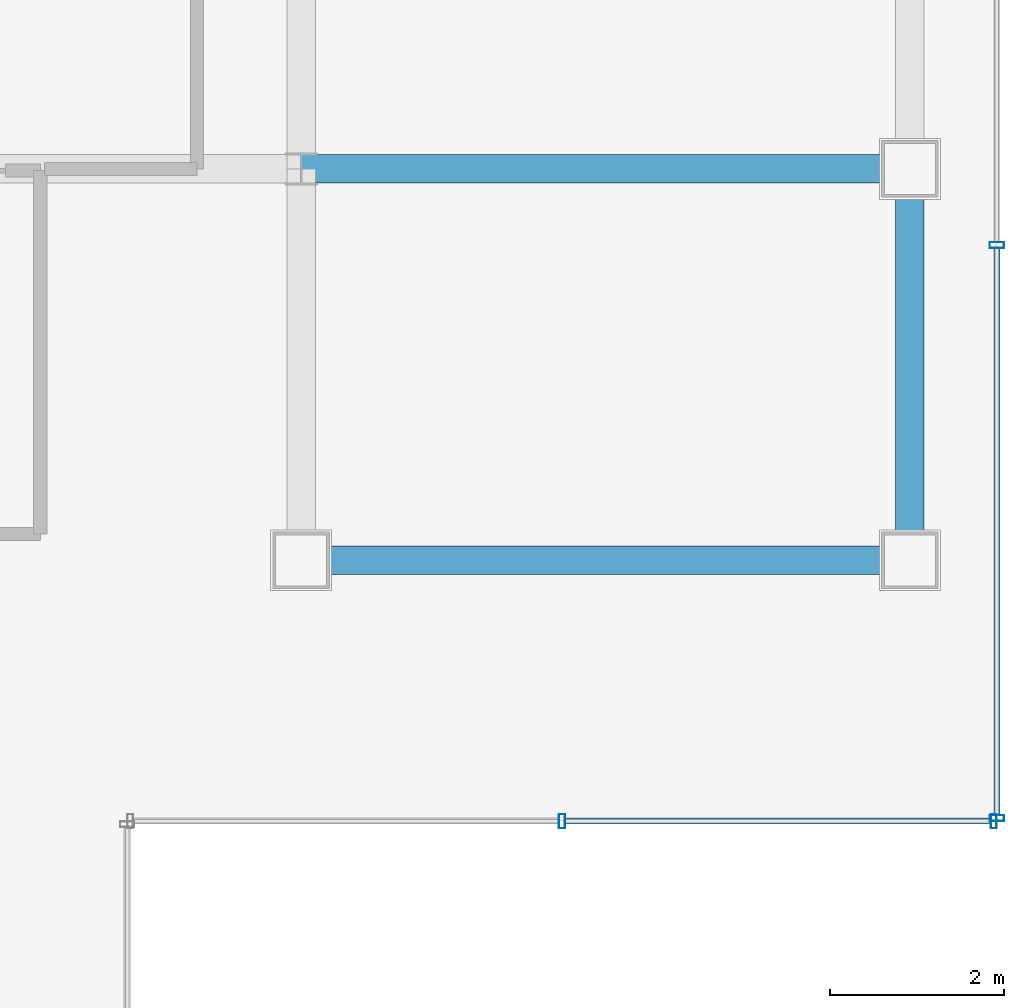
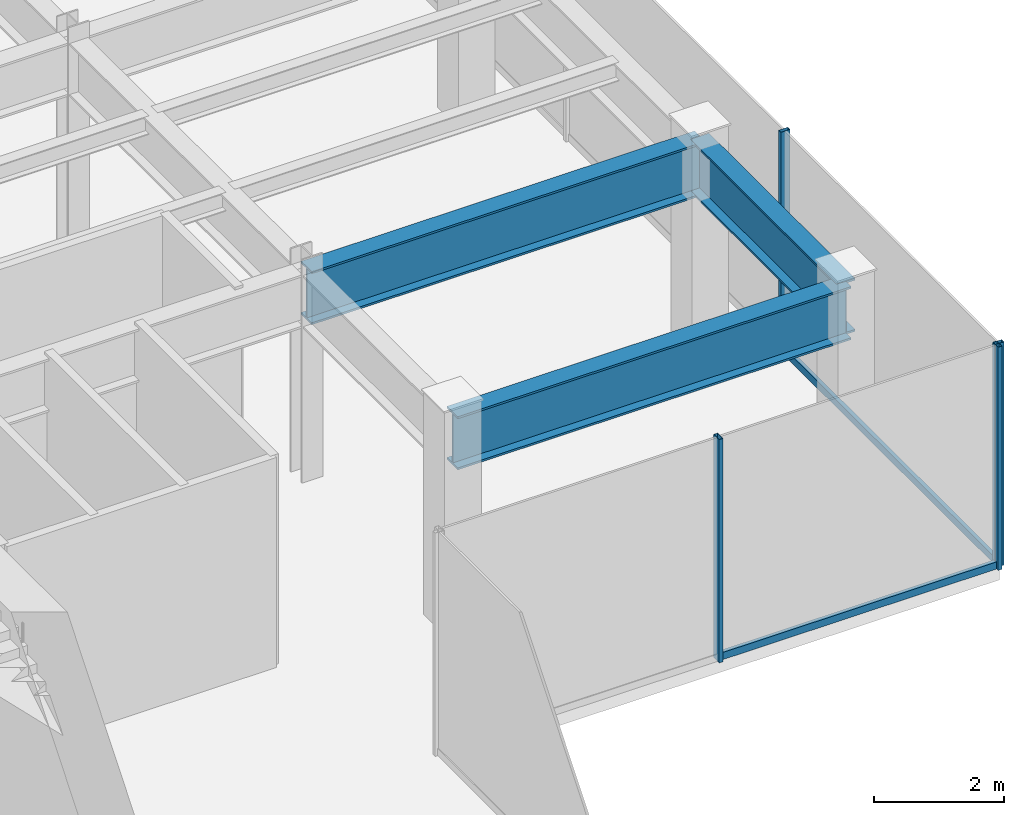
# One storey, part 6 of 26: 6 members, 3 beams, 2 elements without a shape of their own.
"""IFC4 building model written with IfcOpenShell, lengths in metres."""

import ifcopenshell
import ifcopenshell.guid

model = None  # the IFC model being written
_history = None  # IfcOwnerHistory: only IFC2X3 demands one
_inside = {}  # id of a spatial element -> (the spatial element, [elements in it])
_under = {}  # id of a project, library or spatial element -> (it, [spatial elements below it])
_declared = {}  # id of a project -> (the project, [libraries it declares])
_typed = {}  # id of a type object -> (the type object, [elements of that type])
_made_of = {}  # id of a material, layer set ... -> (it, [elements and type objects made of it])


def new_model(schema):
    """Start an empty IFC model of exactly this schema.

    Asked for "IFC4X3", IfcOpenShell would pick the latest addendum, in which some entities
    have other attributes; the version numbers below select the first issue.
    IFC2X3 requires an IfcOwnerHistory on every rooted entity: one is made here for all.
    """
    global model, _history
    if schema == "IFC4X3":
        model = ifcopenshell.file(schema_version=(4, 3, 0, 0))
    else:
        model = ifcopenshell.file(schema=schema)
    _inside.clear()
    _under.clear()
    _declared.clear()
    _typed.clear()
    _made_of.clear()
    _history = None
    if model.schema == "IFC2X3":
        org = make("IfcOrganization", Name="unknown")
        user = make(
            "IfcPersonAndOrganization",
            ThePerson=make("IfcPerson", FamilyName="unknown"),
            TheOrganization=org,
        )
        app = make(
            "IfcApplication",
            ApplicationDeveloper=org,
            Version="unknown",
            ApplicationFullName="unknown",
            ApplicationIdentifier="unknown",
        )
        _history = make(
            "IfcOwnerHistory",
            OwningUser=user,
            OwningApplication=app,
            ChangeAction="ADDED",
            CreationDate=0,
        )
    return model


def make(cls, **values):
    """One entity of the class cls with the attributes given. An attribute that is None is left unset."""
    return model.create_entity(
        cls, **{name: value for name, value in values.items() if value is not None}
    )


def rooted(cls, **values):
    """An entity with a GlobalId (a new one), such as an element, a storey or a relation."""
    return make(cls, GlobalId=ifcopenshell.guid.new(), OwnerHistory=_history, **values)


def si_unit(unit_type, name, prefix=None):
    """IfcSIUnit, for example si_unit("LENGTHUNIT", "METRE", prefix="MILLI")."""
    return make("IfcSIUnit", UnitType=unit_type, Prefix=prefix, Name=name)


def derived_unit(unit_type, elements):
    """IfcDerivedUnit: a product of units, each with its exponent."""
    return make(
        "IfcDerivedUnit",
        Elements=[
            make("IfcDerivedUnitElement", Unit=unit, Exponent=power)
            for unit, power in elements
        ],
        UnitType=unit_type,
    )


def assignment(units):
    """IfcUnitAssignment: the units of a project."""
    return None if units is None else make("IfcUnitAssignment", Units=units)


def point(xyz):
    """IfcCartesianPoint."""
    return None if xyz is None else make("IfcCartesianPoint", Coordinates=xyz)


def direction(xyz):
    """IfcDirection."""
    return None if xyz is None else make("IfcDirection", DirectionRatios=xyz)


def frame(location, z_axis=None, x_axis=None):
    """IfcAxis2Placement3D, a coordinate frame: its origin and axes. An axis left out is left unset."""
    return make(
        "IfcAxis2Placement3D",
        Location=point(location),
        Axis=direction(z_axis),
        RefDirection=direction(x_axis),
    )


def frame_2d(location, x_axis=None):
    """IfcAxis2Placement2D, a coordinate frame in the plane: its origin and x axis."""
    return make(
        "IfcAxis2Placement2D", Location=point(location), RefDirection=direction(x_axis)
    )


def origin():
    """The frame at (0, 0, 0) with its axes left unset."""
    return frame((0.0, 0.0, 0.0))


def origin_2d():
    """The frame at (0, 0) in the plane with its x axis left unset."""
    return frame_2d((0.0, 0.0))


def place(relative_to, where):
    """IfcLocalPlacement: puts the frame where relative to a parent placement (None: the world)."""
    return make(
        "IfcLocalPlacement", PlacementRelTo=relative_to, RelativePlacement=where
    )


def context(
    kind, dimensions, precision=None, world=None, true_north=None, identifier=None
):
    """IfcGeometricRepresentationContext, for example the 3D "Model" context."""
    return make(
        "IfcGeometricRepresentationContext",
        ContextIdentifier=identifier,
        ContextType=kind,
        CoordinateSpaceDimension=dimensions,
        Precision=precision,
        WorldCoordinateSystem=world,
        TrueNorth=true_north,
    )


def subcontext(parent, identifier, kind, view, scale=None):
    """IfcGeometricRepresentationSubContext, for example "Body" below "Model"."""
    return make(
        "IfcGeometricRepresentationSubContext",
        ContextIdentifier=identifier,
        ContextType=kind,
        ParentContext=parent,
        TargetScale=scale,
        TargetView=view,
    )


def project(units=None, contexts=None):
    """IfcProject with its units and contexts."""
    return rooted(
        "IfcProject",
        Name="project",
        RepresentationContexts=contexts,
        UnitsInContext=assignment(units),
    )


def spatial(cls, under=None, at=None, **own):
    """A site, building, storey or space (cls), placed at a placement, below another one or the project."""
    s = rooted(cls, ObjectPlacement=at, **own)
    if under is not None:
        _under.setdefault(under.id(), (under, []))[1].append(s)
    return s


def profile(cls, at=None, kind="AREA", **sizes):
    """A parametric profile (cls). Its sizes go by their IFC names, for example OverallWidth=200.0."""
    return make(cls, ProfileType=kind, Position=at, **sizes)


def hollow_rectangle(**sizes):
    """IfcRectangleHollowProfileDef."""
    return profile("IfcRectangleHollowProfileDef", **sizes)


def i_section(**sizes):
    """IfcIShapeProfileDef."""
    return profile("IfcIShapeProfileDef", **sizes)


def extrude(swept, where, along, depth):
    """IfcExtrudedAreaSolid: the profile swept, set in the frame where, extruded along a direction by depth."""
    return make(
        "IfcExtrudedAreaSolid",
        SweptArea=swept,
        Position=where,
        ExtrudedDirection=direction(along),
        Depth=depth,
    )


def shape(context_of_items, identifier, shape_type, items):
    """IfcShapeRepresentation: the items that make up one representation, for example the "Body"."""
    return make(
        "IfcShapeRepresentation",
        ContextOfItems=context_of_items,
        RepresentationIdentifier=identifier,
        RepresentationType=shape_type,
        Items=items,
    )


def source(mapping_origin, context_of_items, identifier, shape_type, items):
    """IfcRepresentationMap: a shape defined once, which mapped items show again and again."""
    return make(
        "IfcRepresentationMap",
        MappingOrigin=mapping_origin,
        MappedRepresentation=shape(context_of_items, identifier, shape_type, items),
    )


def transform(
    local_origin,
    x_axis=None,
    y_axis=None,
    z_axis=None,
    scale=None,
    scale2=None,
    scale3=None,
    uniform=True,
):
    """IfcCartesianTransformationOperator3D, or its non-uniform kind. x_axis, y_axis, z_axis: its Axis1, 2, 3."""
    if uniform:
        return make(
            "IfcCartesianTransformationOperator3D",
            Axis1=direction(x_axis),
            Axis2=direction(y_axis),
            LocalOrigin=point(local_origin),
            Scale=scale,
            Axis3=direction(z_axis),
        )
    return make(
        "IfcCartesianTransformationOperator3DnonUniform",
        Axis1=direction(x_axis),
        Axis2=direction(y_axis),
        LocalOrigin=point(local_origin),
        Scale=scale,
        Axis3=direction(z_axis),
        Scale2=scale2,
        Scale3=scale3,
    )


def mapped(mapping_source, mapping_target):
    """IfcMappedItem: shows the shape of a source again, moved by a transform."""
    return make(
        "IfcMappedItem", MappingSource=mapping_source, MappingTarget=mapping_target
    )


def material(Name=None, Category=None):
    """IfcMaterial."""
    return make("IfcMaterial", Name=Name, Category=Category)


def material_profile(
    of_material, cross_section, Name=None, Category=None, Priority=None
):
    """IfcMaterialProfile: a cross section and its material."""
    return make(
        "IfcMaterialProfile",
        Name=Name,
        Material=of_material,
        Profile=cross_section,
        Priority=Priority,
        Category=Category,
    )


def profile_set(profiles, Name=None, composite=None):
    """IfcMaterialProfileSet."""
    return make(
        "IfcMaterialProfileSet",
        Name=Name,
        MaterialProfiles=profiles,
        CompositeProfile=composite,
    )


def made_of(thing, what):
    """Note that an element or type object is made of a material, layer set ...; save() writes the relation."""
    if what is not None:
        _made_of.setdefault(what.id(), (what, []))[1].append(thing)
    return thing


def type_object(cls, material=None, **own):
    """A type object (cls), such as IfcWallType, which elements share."""
    return made_of(rooted(cls, **own), material)


def element(
    cls,
    number,
    at=None,
    inside=None,
    cuts=None,
    type_object=None,
    material=None,
    context=None,
    identifier="Body",
    shape_type=None,
    held_by="IfcProductDefinitionShape",
    body=None,
    shapes=None,
    **own,
):
    """One element of the class cls, such as IfcWall. Its Tag is "e" and its number.

    at: its placement. inside: the storey or other place that contains it. cuts: it is an
    opening in that element (IfcRelVoidsElement). A single representation is given by context,
    identifier, shape_type and body (its items); several are given by shapes. held_by: the class
    of the entity that holds the representations. save() writes the other relations.
    """
    e = rooted(cls, Tag="e%d" % number, ObjectPlacement=at, **own)
    if body is not None:
        shapes = [shape(context, identifier, shape_type, body)]
    if shapes is not None:
        e.Representation = make(held_by, Representations=shapes)
    if inside is not None:
        _inside.setdefault(inside.id(), (inside, []))[1].append(e)
    if cuts is not None:
        rooted(
            "IfcRelVoidsElement", RelatingBuildingElement=cuts, RelatedOpeningElement=e
        )
    if type_object is not None:
        _typed.setdefault(type_object.id(), (type_object, []))[1].append(e)
    return made_of(e, material)


def aggregate(whole, parts):
    """IfcRelAggregates: a whole, such as a stair, and the parts it consists of."""
    return rooted("IfcRelAggregates", RelatingObject=whole, RelatedObjects=parts)


def save(model, path):
    """Write the relations noted so far, then the file.

    IfcRelAggregates (storeys below a building ...), IfcRelContainedInSpatialStructure (elements
    in a storey), IfcRelDefinesByType, IfcRelAssociatesMaterial and IfcRelDeclares: one each for
    every whole, place, type object, material and project.
    """
    for whole, parts in _under.values():
        aggregate(whole, parts)
    for where, things in _inside.values():
        rooted(
            "IfcRelContainedInSpatialStructure",
            RelatedElements=things,
            RelatingStructure=where,
        )
    for kind, things in _typed.values():
        rooted("IfcRelDefinesByType", RelatedObjects=things, RelatingType=kind)
    for what, things in _made_of.values():
        rooted("IfcRelAssociatesMaterial", RelatedObjects=things, RelatingMaterial=what)
    for by, libraries in _declared.values():
        rooted("IfcRelDeclares", RelatingContext=by, RelatedDefinitions=libraries)
    model.write(path)


model = new_model("IFC4")

# Units and contexts
model_context = context("Model", 3, precision=1e-05, world=origin(), true_north=direction((0.0, 1.0)))
body_context = subcontext(model_context, "Body", "Model", "MODEL_VIEW")
ifc_project = project(units=[si_unit("LENGTHUNIT", "METRE"), si_unit("AREAUNIT", "SQUARE_METRE"), si_unit("VOLUMEUNIT", "CUBIC_METRE"), si_unit("PLANEANGLEUNIT", "RADIAN"), si_unit("MASSUNIT", "GRAM", prefix="KILO"), derived_unit("THERMALTRANSMITTANCEUNIT", [(si_unit("POWERUNIT", "WATT"), 1), (si_unit("LENGTHUNIT", "METRE"), -2), (si_unit("THERMODYNAMICTEMPERATUREUNIT", "KELVIN"), -1)])], contexts=[model_context])

# Site, building, storey
site_placement = place(None, origin())
site = spatial("IfcSite", under=ifc_project, at=site_placement, CompositionType="ELEMENT")
building_placement = place(site_placement, origin())
building = spatial("IfcBuilding", under=site, at=building_placement, Name="Skarnbrae Concourse Arena and Tower", CompositionType="ELEMENT")
storey_placement = place(building_placement, frame((0.0, 0.0, 184.39990234375)))
storey = spatial("IfcBuildingStorey", under=building, at=storey_placement, Name="L47", CompositionType="ELEMENT", Elevation=184.39990234375)

# Beams
ifc_material_1 = material(Name="Steel CSA G40.21 350W", Category="steel")
ifc_material_profile_1 = material_profile(ifc_material_1, i_section(OverallWidth=0.327880859375, OverallDepth=1.0, WebThickness=0.02099609375, FlangeThickness=0.03759765625, at=origin_2d()), Name="W1000X371")
ifc_profile_set_1 = profile_set([ifc_material_profile_1], Name="Steel CSA G40.21 350W")
beam_type = type_object("IfcBeamType", Name="BM-XFER-W1000X371", PredefinedType="BEAM", material=ifc_profile_set_1)
shared_shape_1 = source(origin(), body_context, "Body", "SweptSolid", [
    extrude(i_section(OverallWidth=0.327880859375, OverallDepth=1.0, WebThickness=0.02099609375, FlangeThickness=0.03759765625, at=origin_2d()), origin(), (0.0, 0.0, 1.0), 7.0),
])
for number, where, z_axis, x_axis, name in (
    (1, (42.0, 9.5, 3.400146484375), (1.0, 0.0, 0.0), (0.0, 1.0, 0.0), "L47 Perimeter spandrel Y9.5-2"),
    (2, (42.0, 14.0, 3.400146484375), (1.0, 0.0, 0.0), (0.0, 1.0, 0.0), "L47 Primary E-W girder Y14.0-7"),
):
    element("IfcBeam", number, at=place(storey_placement, frame(where, z_axis=z_axis, x_axis=x_axis)), inside=storey, type_object=beam_type, Name=name, PredefinedType="BEAM", context=body_context, shape_type="MappedRepresentation", body=[
        mapped(shared_shape_1, transform((0.0, 0.0, 0.0))),
    ])
shared_shape_2 = source(origin(), body_context, "Body", "SweptSolid", [
    extrude(i_section(OverallWidth=0.327880859375, OverallDepth=1.0, WebThickness=0.02099609375, FlangeThickness=0.03759765625, at=origin_2d()), origin(), (0.0, 0.0, 1.0), 4.5),
])
beam_placement = place(storey_placement, frame((49.0, 9.5, 3.400146484375), z_axis=(0.0, 1.0, 0.0), x_axis=(-1.0, 0.0, 0.0)))
element("IfcBeam", 3, at=beam_placement, inside=storey, type_object=beam_type, Name="L47 Perimeter spandrel X49.0-1", PredefinedType="BEAM", context=body_context, shape_type="MappedRepresentation", body=[
    mapped(shared_shape_2, transform((0.0, 0.0, 0.0))),
])

# Curtain wall, members
ifc_material_2 = material(Name="Bronze anodised aluminium 6063-T6", Category="aluminium")
curtain_wall_type = type_object("IfcCurtainWallType", Name="CW-SYS-06-SKYLOBBY", PredefinedType="USERDEFINED", material=ifc_material_2)
curtain_wall_1_placement = place(storey_placement, origin())
curtain_wall_1 = element("IfcCurtainWall", 4, at=curtain_wall_1_placement, inside=storey, type_object=curtain_wall_type, Name="L47 Unitised curtain wall CW-L47-E03", ObjectType="UNITISED CURTAIN WALL", PredefinedType="USERDEFINED")
ifc_material_profile_2 = material_profile(ifc_material_2, hollow_rectangle(XDim=0.070068359375, YDim=0.1650390625, WallThickness=0.00390625, at=origin_2d()), Name="ALU-MULL-70X165")
ifc_profile_set_2 = profile_set([ifc_material_profile_2], Name="Bronze anodised aluminium 6063-T6")
member_type_1 = type_object("IfcMemberType", Name="CWM-CW-06", PredefinedType="MULLION", material=ifc_profile_set_2)
shared_shape_3 = source(origin(), body_context, "Body", "SweptSolid", [
    extrude(hollow_rectangle(XDim=0.070068359375, YDim=0.1650390625, WallThickness=0.00390625, at=origin_2d()), origin(), (0.0, 0.0, 1.0), 4.2001953125),
])
member_1_placement = place(storey_placement, frame((45.0, 6.5, 0.0), z_axis=(0.0, 0.0, 1.0), x_axis=(1.0, 0.0, 0.0)))
member_1 = element("IfcMember", 5, at=member_1_placement, type_object=member_type_1, Name="CW-L47-E03 Mullion 2", PredefinedType="MULLION", context=body_context, shape_type="MappedRepresentation", body=[
    mapped(shared_shape_3, transform((0.0, 0.0, 0.0))),
])
member_2_placement = place(storey_placement, frame((49.965087890625, 6.5, 0.0), z_axis=(0.0, 0.0, 1.0), x_axis=(1.0, 0.0, 0.0)))
member_2 = element("IfcMember", 6, at=member_2_placement, type_object=member_type_1, Name="CW-L47-E03 Mullion 3", PredefinedType="MULLION", context=body_context, shape_type="MappedRepresentation", body=[
    mapped(shared_shape_3, transform((0.0, 0.0, 0.0))),
])

curtain_wall_2_placement = place(storey_placement, origin())
curtain_wall_2 = element("IfcCurtainWall", 7, at=curtain_wall_2_placement, inside=storey, type_object=curtain_wall_type, Name="L47 Unitised curtain wall CW-L47-E04", ObjectType="UNITISED CURTAIN WALL", PredefinedType="USERDEFINED")
member_3_placement = place(storey_placement, frame((50.0, 6.534912109375, 0.0), z_axis=(0.0, 0.0, 1.0), x_axis=(0.0, 1.0, 0.0)))
member_3 = element("IfcMember", 8, at=member_3_placement, type_object=member_type_1, Name="CW-L47-E04 Mullion 1", PredefinedType="MULLION", context=body_context, shape_type="MappedRepresentation", body=[
    mapped(shared_shape_3, transform((0.0, 0.0, 0.0))),
])
member_4_placement = place(storey_placement, frame((50.0, 13.125, 0.0), z_axis=(0.0, 0.0, 1.0), x_axis=(0.0, 1.0, 0.0)))
member_4 = element("IfcMember", 9, at=member_4_placement, type_object=member_type_1, Name="CW-L47-E04 Mullion 2", PredefinedType="MULLION", context=body_context, shape_type="MappedRepresentation", body=[
    mapped(shared_shape_3, transform((0.0, 0.0, 0.0))),
])

# Member
ifc_material_profile_3 = material_profile(ifc_material_2, hollow_rectangle(XDim=0.070068359375, YDim=0.135009765625, WallThickness=0.00390625, at=origin_2d()), Name="ALU-TRAN-70X135")
ifc_profile_set_3 = profile_set([ifc_material_profile_3], Name="Bronze anodised aluminium 6063-T6")
member_type_2 = type_object("IfcMemberType", Name="CWT-CW-06", PredefinedType="USERDEFINED", material=ifc_profile_set_3)
shared_shape_4 = source(origin(), body_context, "Body", "SweptSolid", [
    extrude(hollow_rectangle(XDim=0.070068359375, YDim=0.135009765625, WallThickness=0.00390625, at=origin_2d()), origin(), (0.0, 0.0, 1.0), 4.89501953125),
])
member_5_placement = place(storey_placement, frame((45.034912109375, 6.5, 0.067626953125), z_axis=(1.0, 0.0, 0.0), x_axis=(0.0, 1.0, 0.0)))
member_5 = element("IfcMember", 10, at=member_5_placement, type_object=member_type_2, Name="CW-L47-E03 Transom 2", ObjectType="TRANSOM", PredefinedType="USERDEFINED", context=body_context, shape_type="MappedRepresentation", body=[
    mapped(shared_shape_4, transform((0.0, 0.0, 0.0))),
])

aggregate(curtain_wall_1, [member_1, member_2, member_5])

shared_shape_5 = source(origin(), body_context, "Body", "SweptSolid", [
    extrude(hollow_rectangle(XDim=0.070068359375, YDim=0.135009765625, WallThickness=0.00390625, at=origin_2d()), origin(), (0.0, 0.0, 1.0), 6.52001953125),
])
member_6_placement = place(storey_placement, frame((50.0, 6.570068359375, 0.067626953125), z_axis=(0.0, 1.0, 0.0), x_axis=(-1.0, 0.0, 0.0)))
member_6 = element("IfcMember", 11, at=member_6_placement, type_object=member_type_2, Name="CW-L47-E04 Transom 1", ObjectType="TRANSOM", PredefinedType="USERDEFINED", context=body_context, shape_type="MappedRepresentation", body=[
    mapped(shared_shape_5, transform((0.0, 0.0, 0.0))),
])

aggregate(curtain_wall_2, [member_3, member_4, member_6])

save(model, "model.ifc")
